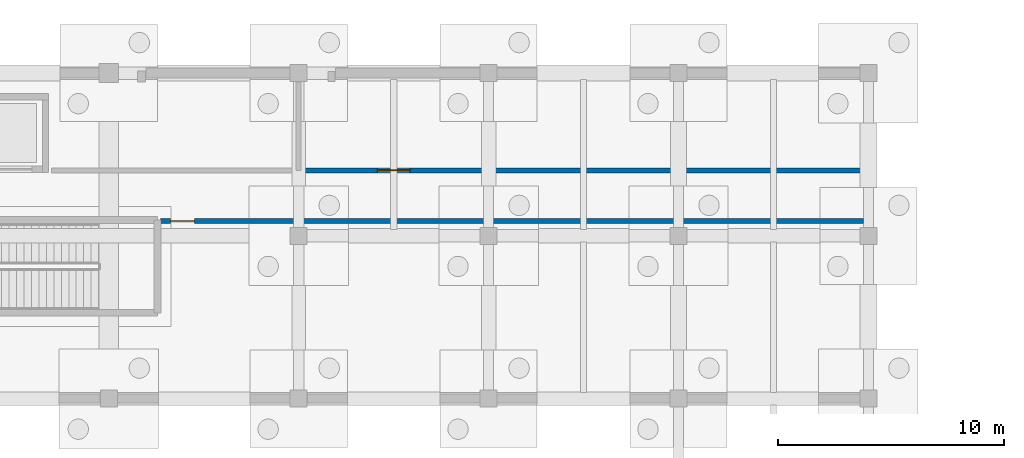
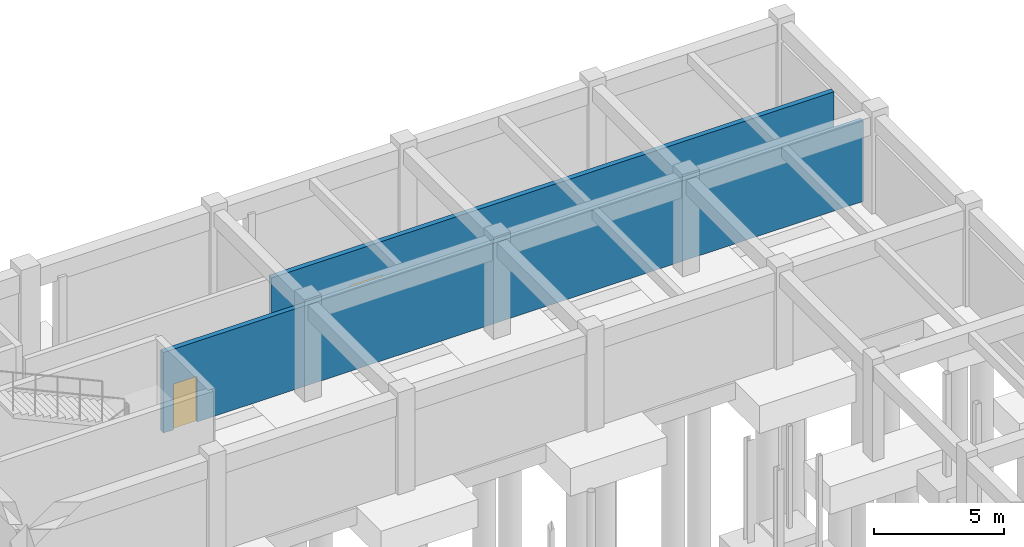
# One storey, part 63 of 80: 2 doors, 2 walls, 2 openings.
"""IFC4 building model written with IfcOpenShell, lengths in metres."""

from ifc_helpers import new_model, si_unit, direction, frame, frame_2d, origin, place, context, subcontext, project, spatial, rectangle, extrude, material, layer, layer_set, type_object, element, fill, save


model = new_model("IFC4")

# Units and contexts
model_context = context("Model", 3, precision=1e-05, world=origin(), true_north=direction((0.0, 1.0)))
body_context = subcontext(model_context, "Body", "Model", "MODEL_VIEW")
ifc_project = project(units=[si_unit("LENGTHUNIT", "METRE"), si_unit("AREAUNIT", "SQUARE_METRE"), si_unit("VOLUMEUNIT", "CUBIC_METRE"), si_unit("PLANEANGLEUNIT", "RADIAN"), si_unit("MASSUNIT", "GRAM", prefix="KILO")], contexts=[model_context])

# Site, building, storey
site_placement = place(None, origin())
site = spatial("IfcSite", under=ifc_project, at=site_placement, CompositionType="ELEMENT")
building_placement = place(site_placement, origin())
building = spatial("IfcBuilding", under=site, at=building_placement, Name="Malvenik Polytechnic", CompositionType="ELEMENT")
storey_placement = place(building_placement, frame((0.0, 0.0, -4.800048828125)))
storey = spatial("IfcBuildingStorey", under=building, at=storey_placement, Name="B1", CompositionType="ELEMENT", Elevation=-4.800048828125)

# Wall, opening, door
ifc_material_1 = material(Name="Autoclaved aerated concrete blockwork 220mm", Category="masonry")
ifc_layer = layer(ifc_material_1, 0.219970703125)
ifc_layer_set = layer_set([ifc_layer], Name="Autoclaved aerated concrete blockwork 220mm")
wall_type = type_object("IfcWallType", Name="ARC-FW-220", PredefinedType="SOLIDWALL", material=ifc_layer_set)
wall_1_placement = place(storey_placement, frame((109.199951171875, 125.300048828125, 0.0), z_axis=(0.0, 0.0, 1.0), x_axis=(1.0, 0.0, 0.0)))
wall_1 = element("IfcWall", 1, at=wall_1_placement, inside=storey, type_object=wall_type, Name="Interior Partition FW-01 B1 #12", PredefinedType="SOLIDWALL", context=body_context, shape_type="SweptSolid", body=[
    extrude(rectangle(XDim=24.97998046875, YDim=0.219970703125, at=frame_2d((12.489990234375, 0.0))), origin(), (0.0, 0.0, 1.0), 3.78515625),
])
opening_1_placement = place(wall_1_placement, frame((3.47509765625, 0.0, 0.0)))
opening_1 = element("IfcOpeningElement", 2, at=opening_1_placement, cuts=wall_1, Name="Opening FD-08", PredefinedType="OPENING", context=body_context, shape_type="SweptSolid", body=[
    extrude(rectangle(XDim=1.449951171875, YDim=2.199951171875, at=frame_2d((0.72509765625, 1.10009765625))), frame((0.0, 0.1201171875, 0.0), z_axis=(0.0, -1.0, 0.0), x_axis=(1.0, 0.0, 0.0)), (0.0, 0.0, 1.0), 0.239990234375),
])
ifc_material_2 = material(Name="Fire-rated seminar corridor door", Category="steel")
door_type_1 = type_object("IfcDoorType", Name="ARC-IDR-FD-08", OperationType="NOTDEFINED", PredefinedType="DOOR", material=ifc_material_2)
door_1_placement = place(opening_1_placement, origin())
door_1 = element("IfcDoor", 3, at=door_1_placement, inside=storey, type_object=door_type_1, Name="Interior Door FD-08 B1 #5", OperationType="SINGLE_SWING_RIGHT", OverallHeight=2.199951171875, OverallWidth=1.449951171875, PredefinedType="DOOR", context=body_context, shape_type="SweptSolid", body=[
    extrude(rectangle(XDim=1.449951171875, YDim=2.199951171875, at=frame_2d((0.72509765625, 1.10009765625))), frame((0.0, 0.02490234375, 0.0), z_axis=(0.0, -1.0, 0.0), x_axis=(1.0, 0.0, 0.0)), (0.0, 0.0, 1.0), 0.050048828125),
])
fill(opening_1, door_1)

wall_2_placement = place(storey_placement, frame((134.179931640625, 123.050048828125, 0.0), z_axis=(0.0, 0.0, 1.0), x_axis=(-1.0, 0.0, 0.0)))
wall_2 = element("IfcWall", 4, at=wall_2_placement, inside=storey, type_object=wall_type, Name="Interior Partition FW-01 B1 #25", PredefinedType="SOLIDWALL", context=body_context, shape_type="SweptSolid", body=[
    extrude(rectangle(XDim=31.08984375, YDim=0.219970703125, at=frame_2d((15.544921875, 0.0))), origin(), (0.0, 0.0, 1.0), 3.78515625),
])
opening_2_placement = place(wall_2_placement, frame((29.590087890625, 0.0, 0.0)))
opening_2 = element("IfcOpeningElement", 5, at=opening_2_placement, cuts=wall_2, Name="Opening FD-05", PredefinedType="OPENING", context=body_context, shape_type="SweptSolid", body=[
    extrude(rectangle(XDim=1.050048828125, YDim=2.14990234375, at=frame_2d((0.52490234375, 1.074951171875))), frame((0.0, 0.1201171875, 0.0), z_axis=(0.0, -1.0, 0.0), x_axis=(1.0, 0.0, 0.0)), (0.0, 0.0, 1.0), 0.239990234375),
])
ifc_material_3 = material(Name="Fire-rated archive room door", Category="steel")
door_type_2 = type_object("IfcDoorType", Name="ARC-IDR-FD-05", OperationType="NOTDEFINED", PredefinedType="DOOR", material=ifc_material_3)
door_2_placement = place(opening_2_placement, origin())
door_2 = element("IfcDoor", 6, at=door_2_placement, inside=storey, type_object=door_type_2, Name="Interior Door FD-05 B1 #11", OperationType="SINGLE_SWING_RIGHT", OverallHeight=2.14990234375, OverallWidth=1.050048828125, PredefinedType="DOOR", context=body_context, shape_type="SweptSolid", body=[
    extrude(rectangle(XDim=1.050048828125, YDim=2.14990234375, at=frame_2d((0.52490234375, 1.074951171875))), frame((0.0, 0.02490234375, 0.0), z_axis=(0.0, -1.0, 0.0), x_axis=(1.0, 0.0, 0.0)), (0.0, 0.0, 1.0), 0.050048828125),
])
fill(opening_2, door_2)

save(model, "model.ifc")
